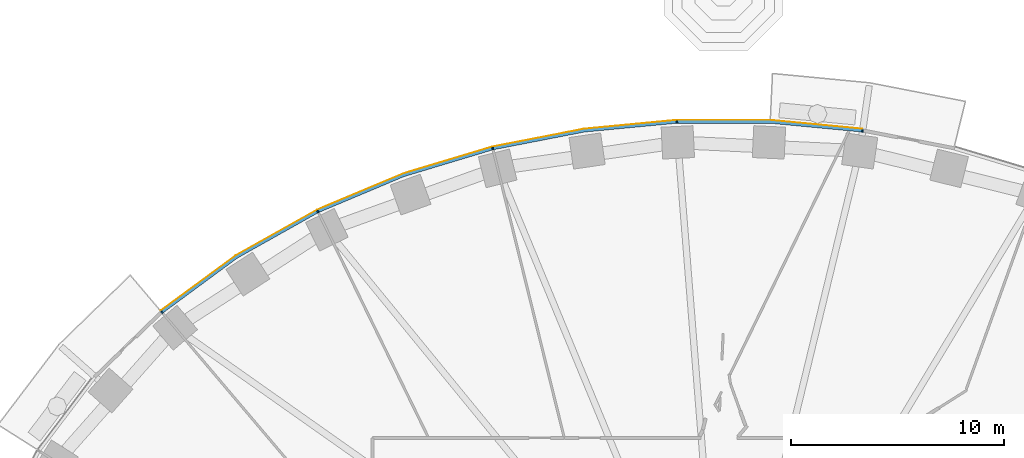
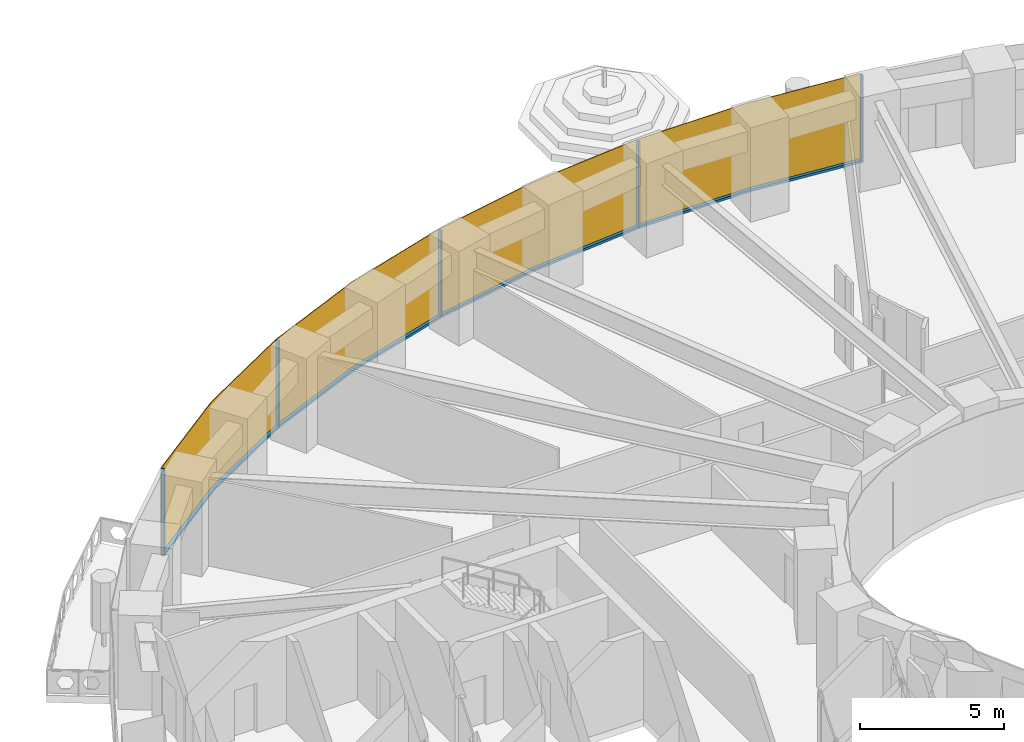
# One storey, part 11 of 20: 9 members, 1 curtain wall.
"""IFC4 building model written with IfcOpenShell, lengths in metres."""

import ifcopenshell
import ifcopenshell.guid

model = None  # the IFC model being written
_history = None  # IfcOwnerHistory: only IFC2X3 demands one
_inside = {}  # id of a spatial element -> (the spatial element, [elements in it])
_under = {}  # id of a project, library or spatial element -> (it, [spatial elements below it])
_declared = {}  # id of a project -> (the project, [libraries it declares])
_typed = {}  # id of a type object -> (the type object, [elements of that type])
_made_of = {}  # id of a material, layer set ... -> (it, [elements and type objects made of it])


def new_model(schema):
    """Start an empty IFC model of exactly this schema.

    Asked for "IFC4X3", IfcOpenShell would pick the latest addendum, in which some entities
    have other attributes; the version numbers below select the first issue.
    IFC2X3 requires an IfcOwnerHistory on every rooted entity: one is made here for all.
    """
    global model, _history
    if schema == "IFC4X3":
        model = ifcopenshell.file(schema_version=(4, 3, 0, 0))
    else:
        model = ifcopenshell.file(schema=schema)
    _inside.clear()
    _under.clear()
    _declared.clear()
    _typed.clear()
    _made_of.clear()
    _history = None
    if model.schema == "IFC2X3":
        org = make("IfcOrganization", Name="unknown")
        user = make(
            "IfcPersonAndOrganization",
            ThePerson=make("IfcPerson", FamilyName="unknown"),
            TheOrganization=org,
        )
        app = make(
            "IfcApplication",
            ApplicationDeveloper=org,
            Version="unknown",
            ApplicationFullName="unknown",
            ApplicationIdentifier="unknown",
        )
        _history = make(
            "IfcOwnerHistory",
            OwningUser=user,
            OwningApplication=app,
            ChangeAction="ADDED",
            CreationDate=0,
        )
    return model


def make(cls, **values):
    """One entity of the class cls with the attributes given. An attribute that is None is left unset."""
    return model.create_entity(
        cls, **{name: value for name, value in values.items() if value is not None}
    )


def rooted(cls, **values):
    """An entity with a GlobalId (a new one), such as an element, a storey or a relation."""
    return make(cls, GlobalId=ifcopenshell.guid.new(), OwnerHistory=_history, **values)


def si_unit(unit_type, name, prefix=None):
    """IfcSIUnit, for example si_unit("LENGTHUNIT", "METRE", prefix="MILLI")."""
    return make("IfcSIUnit", UnitType=unit_type, Prefix=prefix, Name=name)


def assignment(units):
    """IfcUnitAssignment: the units of a project."""
    return None if units is None else make("IfcUnitAssignment", Units=units)


def point(xyz):
    """IfcCartesianPoint."""
    return None if xyz is None else make("IfcCartesianPoint", Coordinates=xyz)


def direction(xyz):
    """IfcDirection."""
    return None if xyz is None else make("IfcDirection", DirectionRatios=xyz)


def frame(location, z_axis=None, x_axis=None):
    """IfcAxis2Placement3D, a coordinate frame: its origin and axes. An axis left out is left unset."""
    return make(
        "IfcAxis2Placement3D",
        Location=point(location),
        Axis=direction(z_axis),
        RefDirection=direction(x_axis),
    )


def frame_2d(location, x_axis=None):
    """IfcAxis2Placement2D, a coordinate frame in the plane: its origin and x axis."""
    return make(
        "IfcAxis2Placement2D", Location=point(location), RefDirection=direction(x_axis)
    )


def origin():
    """The frame at (0, 0, 0) with its axes left unset."""
    return frame((0.0, 0.0, 0.0))


def origin_2d():
    """The frame at (0, 0) in the plane with its x axis left unset."""
    return frame_2d((0.0, 0.0))


def place(relative_to, where):
    """IfcLocalPlacement: puts the frame where relative to a parent placement (None: the world)."""
    return make(
        "IfcLocalPlacement", PlacementRelTo=relative_to, RelativePlacement=where
    )


def context(
    kind, dimensions, precision=None, world=None, true_north=None, identifier=None
):
    """IfcGeometricRepresentationContext, for example the 3D "Model" context."""
    return make(
        "IfcGeometricRepresentationContext",
        ContextIdentifier=identifier,
        ContextType=kind,
        CoordinateSpaceDimension=dimensions,
        Precision=precision,
        WorldCoordinateSystem=world,
        TrueNorth=true_north,
    )


def subcontext(parent, identifier, kind, view, scale=None):
    """IfcGeometricRepresentationSubContext, for example "Body" below "Model"."""
    return make(
        "IfcGeometricRepresentationSubContext",
        ContextIdentifier=identifier,
        ContextType=kind,
        ParentContext=parent,
        TargetScale=scale,
        TargetView=view,
    )


def project(units=None, contexts=None):
    """IfcProject with its units and contexts."""
    return rooted(
        "IfcProject",
        Name="project",
        RepresentationContexts=contexts,
        UnitsInContext=assignment(units),
    )


def spatial(cls, under=None, at=None, **own):
    """A site, building, storey or space (cls), placed at a placement, below another one or the project."""
    s = rooted(cls, ObjectPlacement=at, **own)
    if under is not None:
        _under.setdefault(under.id(), (under, []))[1].append(s)
    return s


def polyline(points):
    """IfcPolyline through the points."""
    return make("IfcPolyline", Points=[point(p) for p in points])


def profile(cls, at=None, kind="AREA", **sizes):
    """A parametric profile (cls). Its sizes go by their IFC names, for example OverallWidth=200.0."""
    return make(cls, ProfileType=kind, Position=at, **sizes)


def rectangle(**sizes):
    """IfcRectangleProfileDef."""
    return profile("IfcRectangleProfileDef", **sizes)


def outline(outer, holes=None, kind="AREA"):
    """IfcArbitraryClosedProfileDef: a profile drawn as a closed curve; with holes, ...WithVoids."""
    if holes is None:
        return make("IfcArbitraryClosedProfileDef", ProfileType=kind, OuterCurve=outer)
    return make(
        "IfcArbitraryProfileDefWithVoids",
        ProfileType=kind,
        OuterCurve=outer,
        InnerCurves=holes,
    )


def extrude(swept, where, along, depth):
    """IfcExtrudedAreaSolid: the profile swept, set in the frame where, extruded along a direction by depth."""
    return make(
        "IfcExtrudedAreaSolid",
        SweptArea=swept,
        Position=where,
        ExtrudedDirection=direction(along),
        Depth=depth,
    )


def shape(context_of_items, identifier, shape_type, items):
    """IfcShapeRepresentation: the items that make up one representation, for example the "Body"."""
    return make(
        "IfcShapeRepresentation",
        ContextOfItems=context_of_items,
        RepresentationIdentifier=identifier,
        RepresentationType=shape_type,
        Items=items,
    )


def material(Name=None, Category=None):
    """IfcMaterial."""
    return make("IfcMaterial", Name=Name, Category=Category)


def layer(
    of_material, thickness, ventilated=None, Name=None, Category=None, Priority=None
):
    """IfcMaterialLayer: one layer of a wall or slab, of a material (None: an air gap)."""
    return make(
        "IfcMaterialLayer",
        Material=of_material,
        LayerThickness=thickness,
        IsVentilated=ventilated,
        Name=Name,
        Category=Category,
        Priority=Priority,
    )


def layer_set(layers, Name=None):
    """IfcMaterialLayerSet."""
    return make("IfcMaterialLayerSet", MaterialLayers=layers, LayerSetName=Name)


def material_profile(
    of_material, cross_section, Name=None, Category=None, Priority=None
):
    """IfcMaterialProfile: a cross section and its material."""
    return make(
        "IfcMaterialProfile",
        Name=Name,
        Material=of_material,
        Profile=cross_section,
        Priority=Priority,
        Category=Category,
    )


def profile_set(profiles, Name=None, composite=None):
    """IfcMaterialProfileSet."""
    return make(
        "IfcMaterialProfileSet",
        Name=Name,
        MaterialProfiles=profiles,
        CompositeProfile=composite,
    )


def made_of(thing, what):
    """Note that an element or type object is made of a material, layer set ...; save() writes the relation."""
    if what is not None:
        _made_of.setdefault(what.id(), (what, []))[1].append(thing)
    return thing


def type_object(cls, material=None, **own):
    """A type object (cls), such as IfcWallType, which elements share."""
    return made_of(rooted(cls, **own), material)


def element(
    cls,
    number,
    at=None,
    inside=None,
    cuts=None,
    type_object=None,
    material=None,
    context=None,
    identifier="Body",
    shape_type=None,
    held_by="IfcProductDefinitionShape",
    body=None,
    shapes=None,
    **own,
):
    """One element of the class cls, such as IfcWall. Its Tag is "e" and its number.

    at: its placement. inside: the storey or other place that contains it. cuts: it is an
    opening in that element (IfcRelVoidsElement). A single representation is given by context,
    identifier, shape_type and body (its items); several are given by shapes. held_by: the class
    of the entity that holds the representations. save() writes the other relations.
    """
    e = rooted(cls, Tag="e%d" % number, ObjectPlacement=at, **own)
    if body is not None:
        shapes = [shape(context, identifier, shape_type, body)]
    if shapes is not None:
        e.Representation = make(held_by, Representations=shapes)
    if inside is not None:
        _inside.setdefault(inside.id(), (inside, []))[1].append(e)
    if cuts is not None:
        rooted(
            "IfcRelVoidsElement", RelatingBuildingElement=cuts, RelatedOpeningElement=e
        )
    if type_object is not None:
        _typed.setdefault(type_object.id(), (type_object, []))[1].append(e)
    return made_of(e, material)


def aggregate(whole, parts):
    """IfcRelAggregates: a whole, such as a stair, and the parts it consists of."""
    return rooted("IfcRelAggregates", RelatingObject=whole, RelatedObjects=parts)


def save(model, path):
    """Write the relations noted so far, then the file.

    IfcRelAggregates (storeys below a building ...), IfcRelContainedInSpatialStructure (elements
    in a storey), IfcRelDefinesByType, IfcRelAssociatesMaterial and IfcRelDeclares: one each for
    every whole, place, type object, material and project.
    """
    for whole, parts in _under.values():
        aggregate(whole, parts)
    for where, things in _inside.values():
        rooted(
            "IfcRelContainedInSpatialStructure",
            RelatedElements=things,
            RelatingStructure=where,
        )
    for kind, things in _typed.values():
        rooted("IfcRelDefinesByType", RelatedObjects=things, RelatingType=kind)
    for what, things in _made_of.values():
        rooted("IfcRelAssociatesMaterial", RelatedObjects=things, RelatingMaterial=what)
    for by, libraries in _declared.values():
        rooted("IfcRelDeclares", RelatingContext=by, RelatedDefinitions=libraries)
    model.write(path)


model = new_model("IFC4")

# Units and contexts
model_context = context("Model", 3, precision=1e-05, world=origin(), true_north=direction((0.0, 1.0)))
body_context = subcontext(model_context, "Body", "Model", "MODEL_VIEW")
ifc_project = project(units=[si_unit("LENGTHUNIT", "METRE"), si_unit("AREAUNIT", "SQUARE_METRE"), si_unit("VOLUMEUNIT", "CUBIC_METRE"), si_unit("PLANEANGLEUNIT", "RADIAN"), si_unit("MASSUNIT", "GRAM", prefix="KILO")], contexts=[model_context])

# Member
ifc_material_1 = material(Name="Aluminium 6063-T6 black anodised", Category="aluminium")
ifc_material_profile = material_profile(ifc_material_1, rectangle(XDim=0.1201171875, YDim=0.06005859375, at=origin_2d()), Name="120x60")
ifc_profile_set = profile_set([ifc_material_profile], Name="Aluminium 6063-T6 black anodised")
member_type_1 = type_object("IfcMemberType", Name="ENV-MULLION-A-120", PredefinedType="MULLION", material=ifc_profile_set)
site_placement = place(None, origin())
building_placement = place(site_placement, origin())
storey_placement = place(building_placement, frame((0.0, 0.0, 34.5)))
member_1_placement = place(storey_placement, frame((6.54638671875, 27.440185546875, 0.0), z_axis=(0.0, 0.0, 1.0), x_axis=(-0.143082012705, -0.989710835366, 0.0)))
member_1 = element("IfcMember", 1, at=member_1_placement, type_object=member_type_1, Name="Mullion A radial 11", PredefinedType="MULLION", context=body_context, shape_type="SweptSolid", body=[
    extrude(rectangle(XDim=0.1201171875, YDim=0.06005859375, at=origin_2d()), origin(), (0.0, 0.0, 1.0), 3.699951171875),
])

member_2_placement = place(storey_placement, frame((-2.188720703125, 27.856201171875, 0.0), z_axis=(0.0, 0.0, 1.0), x_axis=(0.047557873581, -0.998868484166, 0.0)))
member_2 = element("IfcMember", 2, at=member_2_placement, type_object=member_type_1, Name="Mullion A radial 13", PredefinedType="MULLION", context=body_context, shape_type="SweptSolid", body=[
    extrude(rectangle(XDim=0.1201171875, YDim=0.06005859375, at=origin_2d()), origin(), (0.0, 0.0, 1.0), 3.699951171875),
])

member_3_placement = place(storey_placement, frame((-10.84326171875, 26.60498046875, 0.0), z_axis=(0.0, 0.0, 1.0), x_axis=(0.239799081534, -0.970822538106, 0.0)))
member_3 = element("IfcMember", 3, at=member_3_placement, type_object=member_type_1, Name="Mullion A radial 15", PredefinedType="MULLION", context=body_context, shape_type="SweptSolid", body=[
    extrude(rectangle(XDim=0.1201171875, YDim=0.06005859375, at=origin_2d()), origin(), (0.0, 0.0, 1.0), 3.699951171875),
])

member_4_placement = place(storey_placement, frame((-19.06787109375, 23.6474609375, 0.0), z_axis=(0.0, 0.0, 1.0), x_axis=(0.439237769837, -0.898370848563, 0.0)))
member_4 = element("IfcMember", 4, at=member_4_placement, type_object=member_type_1, Name="Mullion A radial 17", PredefinedType="MULLION", context=body_context, shape_type="SweptSolid", body=[
    extrude(rectangle(XDim=0.1201171875, YDim=0.06005859375, at=origin_2d()), origin(), (0.0, 0.0, 1.0), 3.699951171875),
])

member_5_placement = place(storey_placement, frame((-26.403564453125, 18.9130859375, 0.0), z_axis=(0.0, 0.0, 1.0), x_axis=(0.646451313783, -0.762955240435, 0.0)))
member_5 = element("IfcMember", 5, at=member_5_placement, type_object=member_type_1, Name="Mullion A radial 19", PredefinedType="MULLION", context=body_context, shape_type="SweptSolid", body=[
    extrude(rectangle(XDim=0.1201171875, YDim=0.06005859375, at=origin_2d()), origin(), (0.0, 0.0, 1.0), 3.699951171875),
])

ifc_material_2 = material(Name="Aluminium 6063-T6 black anodised", Category="aluminium")
member_type_2 = type_object("IfcMemberType", Name="ENV-TRANSOM-A", PredefinedType="USERDEFINED", material=ifc_material_2)
member_6_placement = place(storey_placement, origin())
member_6 = element("IfcMember", 6, at=member_6_placement, type_object=member_type_2, Name="Transom A radial 11-13", ObjectType="TRANSOM", PredefinedType="USERDEFINED", context=body_context, shape_type="SweptSolid", body=[
    extrude(outline(polyline([(6.527099609375, 27.502197265625), (2.191650390625, 27.916015625), (-2.163818359375, 27.916015625), (-2.157958984375, 27.7958984375), (2.185791015625, 27.7958984375), (6.510009765625, 27.38330078125), (6.527099609375, 27.502197265625)])), origin(), (0.0, 0.0, 1.0), 0.10009765625),
])

member_7_placement = place(storey_placement, origin())
member_7 = element("IfcMember", 7, at=member_7_placement, type_object=member_type_2, Name="Transom A radial 13-15", ObjectType="TRANSOM", PredefinedType="USERDEFINED", context=body_context, shape_type="SweptSolid", body=[
    extrude(outline(polyline([(-2.219482421875, 27.913330078125), (-6.55517578125, 27.49951171875), (-10.830078125, 26.66845703125), (-10.80126953125, 26.552001953125), (-6.537841796875, 27.380615234375), (-2.2138671875, 27.793212890625), (-2.219482421875, 27.913330078125)])), origin(), (0.0, 0.0, 1.0), 0.10009765625),
])

member_8_placement = place(storey_placement, origin())
member_8 = element("IfcMember", 8, at=member_8_placement, type_object=member_type_2, Name="Transom A radial 15-17", ObjectType="TRANSOM", PredefinedType="USERDEFINED", context=body_context, shape_type="SweptSolid", body=[
    extrude(outline(polyline([(-10.884521484375, 26.655029296875), (-15.054443359375, 25.400146484375), (-19.068359375, 23.71240234375), (-19.015380859375, 23.604248046875), (-15.013916015625, 25.287109375), (-10.855712890625, 26.53857421875), (-10.884521484375, 26.655029296875)])), origin(), (0.0, 0.0, 1.0), 0.10009765625),
])

member_9_placement = place(storey_placement, origin())
member_9 = element("IfcMember", 9, at=member_9_placement, type_object=member_type_2, Name="Transom A radial 17-19", ObjectType="TRANSOM", PredefinedType="USERDEFINED", context=body_context, shape_type="SweptSolid", body=[
    extrude(outline(polyline([(-19.11865234375, 23.687744140625), (-22.9150390625, 21.556884765625), (-26.419921875, 18.975341796875), (-26.342041015625, 18.883544921875), (-22.85009765625, 21.455810546875), (-19.06591796875, 23.57958984375), (-19.11865234375, 23.687744140625)])), origin(), (0.0, 0.0, 1.0), 0.10009765625),
])

# Site, building, storey
site = spatial("IfcSite", under=ifc_project, at=site_placement, CompositionType="ELEMENT")
building = spatial("IfcBuilding", under=site, at=building_placement, Name="Noorbagh Ring Tower", CompositionType="ELEMENT")
storey = spatial("IfcBuildingStorey", under=building, at=storey_placement, Name="L06", CompositionType="ELEMENT", Elevation=34.5)

# Curtain wall
ifc_material_3 = material(Name="Glass dark tinted laminated", Category="glass")
ifc_layer = layer(ifc_material_3, 0.031982421875)
ifc_layer_set = layer_set([ifc_layer], Name="Glass dark tinted laminated")
curtain_wall_type = type_object("IfcCurtainWallType", Name="ENV-CW-A", PredefinedType="NOTDEFINED", material=ifc_layer_set)
curtain_wall_placement = place(storey_placement, origin())
curtain_wall = element("IfcCurtainWall", 10, at=curtain_wall_placement, inside=storey, type_object=curtain_wall_type, Name="Curtain wall A R11", PredefinedType="NOTDEFINED", context=body_context, shape_type="SweptSolid", body=[
    extrude(outline(polyline([(6.539794921875, 27.533203125), (2.193115234375, 27.947998046875), (-2.193115234375, 27.947998046875), (-6.559814453125, 27.53125), (-10.865234375, 26.6943359375), (-15.065185546875, 25.430419921875), (-19.108154296875, 23.730224609375), (-22.9326171875, 21.583740234375), (-26.447021484375, 18.9951171875), (-26.42626953125, 18.970703125), (-22.9150390625, 21.556884765625), (-19.093994140625, 23.701416015625), (-15.054443359375, 25.400146484375), (-10.857666015625, 26.6630859375), (-6.55517578125, 27.49951171875), (-2.191650390625, 27.916015625), (2.191650390625, 27.916015625), (6.53515625, 27.50146484375), (6.539794921875, 27.533203125)])), origin(), (0.0, 0.0, 1.0), 3.699951171875),
])

aggregate(curtain_wall, [member_1, member_2, member_3, member_4, member_5, member_6, member_7, member_8, member_9])

save(model, "model.ifc")
